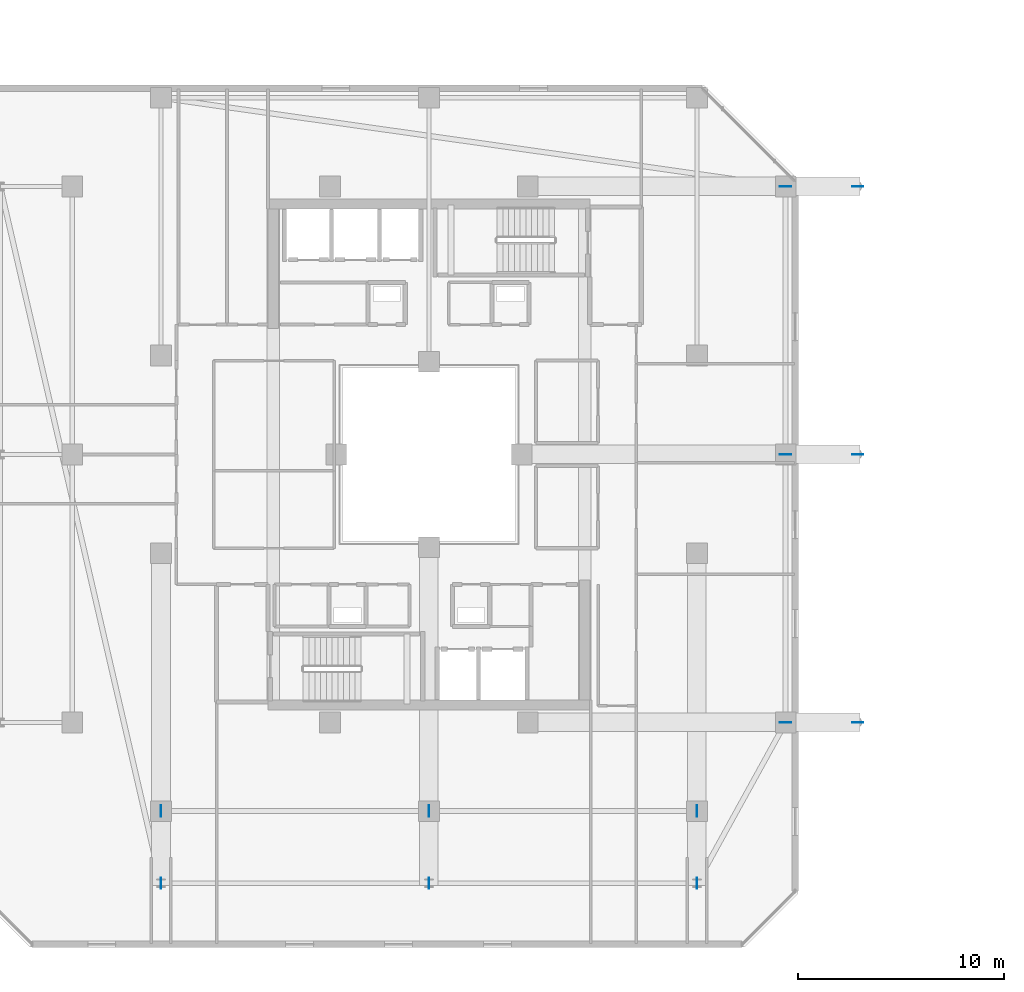
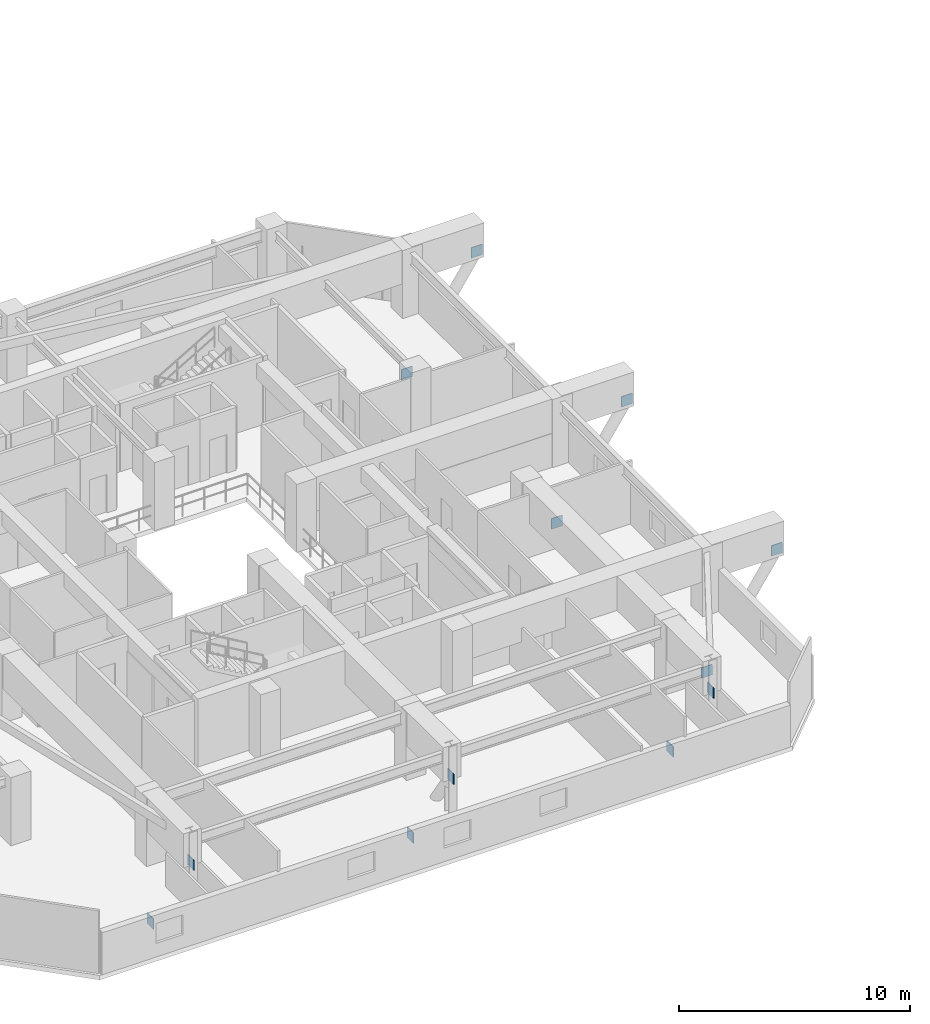
# One storey, part 18 of 34: 12 plates.
"""IFC4 building model written with IfcOpenShell, lengths in metres."""

from ifc_helpers import new_model, si_unit, direction, frame, origin, origin_2d, place, context, subcontext, project, spatial, rectangle, extrude, material, layer, layer_set, type_object, element, save


model = new_model("IFC4")

# Units and contexts
model_context = context("Model", 3, precision=1e-05, world=origin(), true_north=direction((0.0, 1.0)))
body_context = subcontext(model_context, "Body", "Model", "MODEL_VIEW")
ifc_project = project(units=[si_unit("LENGTHUNIT", "METRE"), si_unit("AREAUNIT", "SQUARE_METRE"), si_unit("VOLUMEUNIT", "CUBIC_METRE"), si_unit("PLANEANGLEUNIT", "RADIAN"), si_unit("MASSUNIT", "GRAM", prefix="KILO")], contexts=[model_context])

# Site, building, storey
site_placement = place(None, origin())
site = spatial("IfcSite", under=ifc_project, at=site_placement, CompositionType="ELEMENT")
building_placement = place(site_placement, origin())
building = spatial("IfcBuilding", under=site, at=building_placement, Name="Thornwick Lancets Civic Towers", CompositionType="ELEMENT")
storey_placement = place(building_placement, frame((0.0, 0.0, 251.10009765625)))
storey = spatial("IfcBuildingStorey", under=building, at=storey_placement, Name="L67", CompositionType="ELEMENT", Elevation=251.10009765625)

# Plates
ifc_material = material(Name="Steel S460M", Category="steel")
ifc_layer = layer(ifc_material, 0.0400390625, Name="Steel S460M")
ifc_layer_set = layer_set([ifc_layer], Name="Steel S460M")
plate_type = type_object("IfcPlateType", Name="PLT_GUSSET_40", PredefinedType="USERDEFINED", material=ifc_layer_set)
for number, where, z_axis, x_axis, name in (
    (1, (12.5, 9.699951171875, -3.625), (0.0, 0.0, 1.0), (0.0, -1.0, 0.0), "L67 Brace Connection Gusset Plate 0397"),
    (2, (12.5, 6.199951171875, 1.60498046875), (0.0, 0.0, 1.0), (0.0, -1.0, 0.0), "L67 Brace Connection Gusset Plate 0398"),
    (3, (25.5, 9.699951171875, -3.625), (0.0, 0.0, 1.0), (0.0, -1.0, 0.0), "L67 Brace Connection Gusset Plate 0399"),
    (4, (25.5, 6.199951171875, 1.60498046875), (0.0, 0.0, 1.0), (0.0, -1.0, 0.0), "L67 Brace Connection Gusset Plate 0400"),
    (5, (38.5, 9.699951171875, -3.625), (0.0, 0.0, 1.0), (0.0, -1.0, 0.0), "L67 Brace Connection Gusset Plate 0401"),
    (6, (38.5, 6.199951171875, 1.60498046875), (0.0, 0.0, 1.0), (0.0, -1.0, 0.0), "L67 Brace Connection Gusset Plate 0402"),
    (7, (42.800048828125, 14.0, -3.625), (0.0, 0.0, 1.0), (1.0, 0.0, 0.0), "L67 Brace Connection Gusset Plate 0403"),
    (8, (46.300048828125, 14.0, 1.60498046875), (0.0, 0.0, 1.0), (1.0, 0.0, 0.0), "L67 Brace Connection Gusset Plate 0404"),
    (9, (42.800048828125, 27.0, -3.625), (0.0, 0.0, 1.0), (1.0, 0.0, 0.0), "L67 Brace Connection Gusset Plate 0405"),
    (10, (46.300048828125, 27.0, 1.60498046875), (0.0, 0.0, 1.0), (1.0, 0.0, 0.0), "L67 Brace Connection Gusset Plate 0406"),
    (11, (42.800048828125, 40.0, -3.625), (0.0, 0.0, 1.0), (1.0, 0.0, 0.0), "L67 Brace Connection Gusset Plate 0407"),
    (12, (46.300048828125, 40.0, 1.60498046875), (0.0, 0.0, 1.0), (1.0, 0.0, 0.0), "L67 Brace Connection Gusset Plate 0408"),
):
    element("IfcPlate", number, at=place(storey_placement, frame(where, z_axis=z_axis, x_axis=x_axis)), inside=storey, type_object=plate_type, Name=name, ObjectType="GUSSET_PLATE", PredefinedType="USERDEFINED", context=body_context, shape_type="SweptSolid", body=[
        extrude(rectangle(XDim=0.550048828125, YDim=0.0400390625, at=origin_2d()), origin(), (0.0, 0.0, 1.0), 0.550048828125),
    ])

save(model, "model.ifc")
